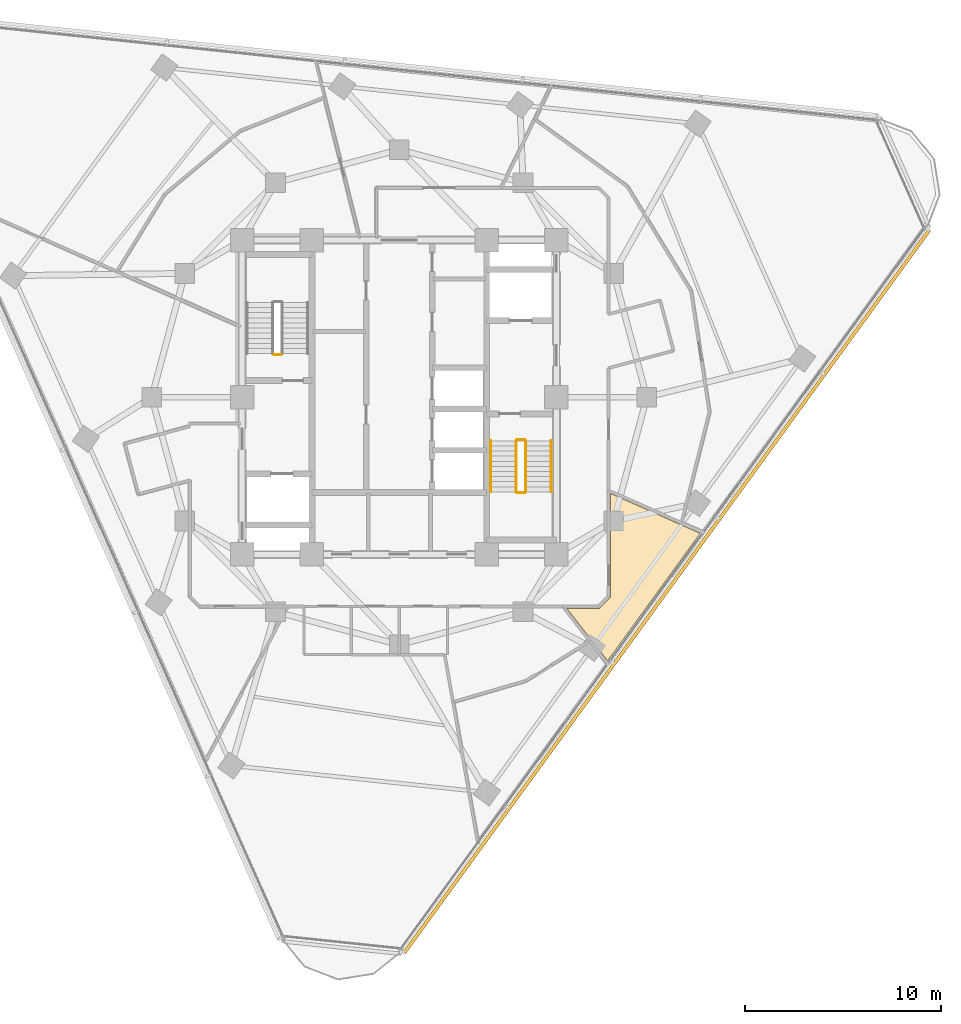
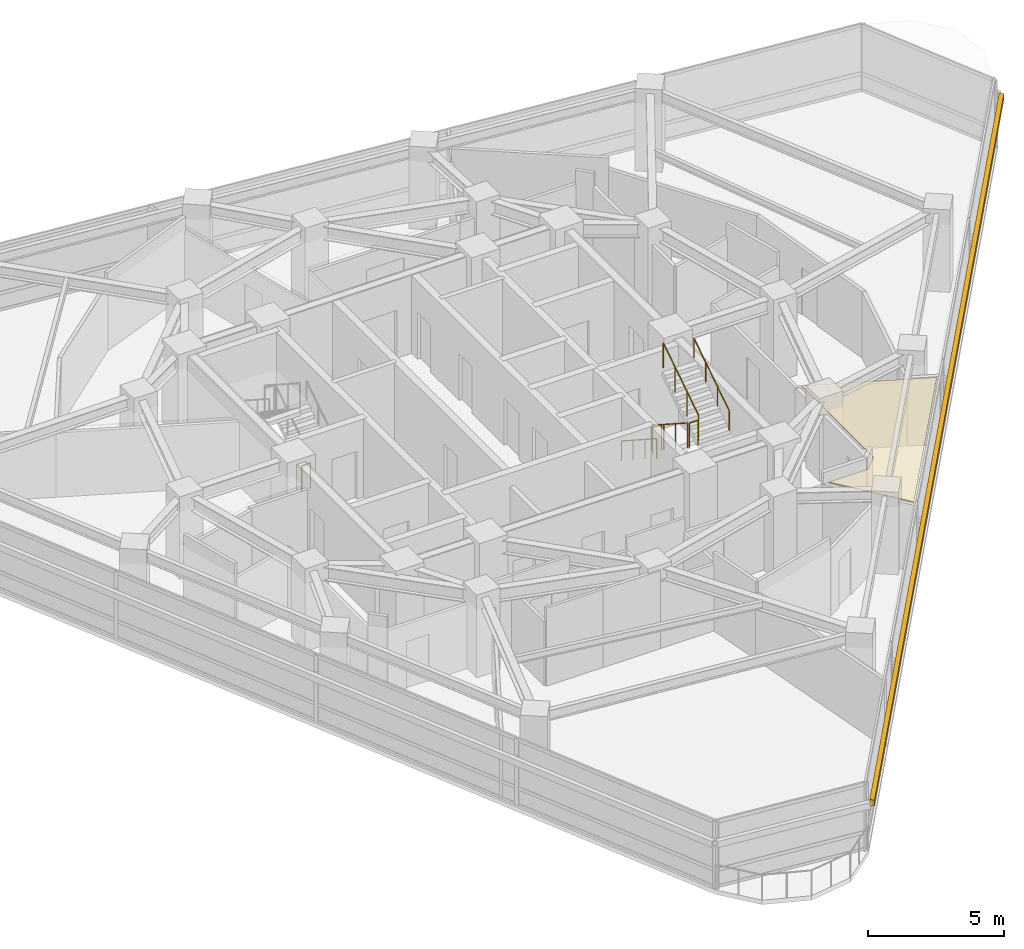
# One storey, part 13 of 15: 7 railings, 1 covering, 1 shading device.
"""IFC4 building model written with IfcOpenShell, lengths in metres."""

from ifc_helpers import new_model, si_unit, direction, frame, origin, origin_2d, place, context, subcontext, project, spatial, polyline, rectangle, circle, outline, extrude, material, layer, layer_set, type_object, element, save


model = new_model("IFC4")

# Units and contexts
model_context = context("Model", 3, precision=1e-05, world=origin(), true_north=direction((0.0, 1.0)))
body_context = subcontext(model_context, "Body", "Model", "MODEL_VIEW")
ifc_project = project(units=[si_unit("LENGTHUNIT", "METRE"), si_unit("AREAUNIT", "SQUARE_METRE"), si_unit("VOLUMEUNIT", "CUBIC_METRE"), si_unit("PLANEANGLEUNIT", "RADIAN"), si_unit("MASSUNIT", "GRAM", prefix="KILO")], contexts=[model_context])

# Site, building, storey
site_placement = place(None, origin())
site = spatial("IfcSite", under=ifc_project, at=site_placement, CompositionType="ELEMENT")
building_placement = place(site_placement, origin())
building = spatial("IfcBuilding", under=site, at=building_placement, Name="Terralouvre Media Tower", CompositionType="ELEMENT")
storey_placement = place(building_placement, frame((0.0, 0.0, 237.39990234375)))
storey = spatial("IfcBuildingStorey", under=building, at=storey_placement, Name="L61", CompositionType="ELEMENT", Elevation=237.39990234375)

# Covering
ifc_material_1 = material(Name="Perforated aluminium acoustic ceiling baffle", Category="aluminium")
ifc_layer_1 = layer(ifc_material_1, 0.0400390625, Name="Perforated Acoustic Metal Tile Ceiling CL-AC1")
ifc_layer_set_1 = layer_set([ifc_layer_1], Name="Perforated aluminium acoustic ceiling baffle")
covering_type = type_object("IfcCoveringType", Name="Perforated Acoustic Metal Tile Ceiling CL-AC1", PredefinedType="CEILING", material=ifc_layer_set_1)
covering_placement = place(storey_placement, frame((0.0, 0.0, 2.97998046875), z_axis=(0.0, 0.0, 1.0), x_axis=(0.587785252292, 0.809016994375, 0.0)))
element("IfcCovering", 1, at=covering_placement, inside=storey, type_object=covering_type, Name="L61 OSINT Verification Control Room 6 Acoustic Ceiling", PredefinedType="CEILING", context=body_context, shape_type="SweptSolid", body=[
    extrude(outline(polyline([(2.357666015625, -11.57470703125), (-1.892822265625, -14.662841796875), (-1.901123046875, -14.668212890625), (-1.90966796875, -14.6728515625), (-1.918701171875, -14.676513671875), (-1.92822265625, -14.67919921875), (-1.93798828125, -14.68115234375), (-1.94775390625, -14.681884765625), (-1.95751953125, -14.681884765625), (-1.96728515625, -14.680908203125), (-2.665771484375, -14.570068359375), (-2.67529296875, -14.568115234375), (-2.6845703125, -14.565185546875), (-2.693603515625, -14.561279296875), (-2.7021484375, -14.556640625), (-2.71044921875, -14.55126953125), (-2.718017578125, -14.544921875), (-2.724853515625, -14.537841796875), (-2.73095703125, -14.5302734375), (-3.685546875, -13.21630859375), (-4.245361328125, -15.166748046875), (-4.6171875, -16.46435546875), (3.397705078125, -16.46484375), (3.1708984375, -15.399658203125), (2.357666015625, -11.57470703125)])), origin(), (0.0, 0.0, 1.0), 0.0400390625),
])

# Railings
ifc_material_2 = material(Name="Stainless steel 316 handrail and balustrade", Category="steel")
ifc_layer_2 = layer(ifc_material_2, 0.050048828125, Name="Stair Flight Wall Handrail HR-INT1")
ifc_layer_set_2 = layer_set([ifc_layer_2], Name="Stainless steel 316 handrail and balustrade")
railing_type_1 = type_object("IfcRailingType", Name="Stair Flight Wall Handrail HR-INT1", PredefinedType="HANDRAIL", material=ifc_layer_set_2)
railing_1_placement = place(storey_placement, frame((4.64990234375, -2.219970703125, 0.168212890625)))
element("IfcRailing", 2, at=railing_1_placement, inside=storey, type_object=railing_type_1, Name="L61 ST-02 stair handrail 1", PredefinedType="HANDRAIL", context=body_context, shape_type="SweptSolid", body=[
    extrude(circle(Radius=0.02392578125, at=origin_2d()), frame((0.0, 0.0, 0.8759765625), z_axis=(0.0, -0.839648411786, 0.543130320075), x_axis=(1.0, 0.0, 0.0)), (0.0, 0.0, 1.0), 3.0966796875),
    extrude(circle(Radius=0.02099609375, at=origin_2d()), origin(), (0.0, 0.0, 1.0), 0.851806640625),
    extrude(circle(Radius=0.02099609375, at=origin_2d()), frame((0.0, -0.86669921875, 0.560546875)), (0.0, 0.0, 1.0), 0.851806640625),
    extrude(circle(Radius=0.02099609375, at=origin_2d()), frame((0.0, -1.7333984375, 1.121337890625)), (0.0, 0.0, 1.0), 0.851806640625),
    extrude(circle(Radius=0.02099609375, at=origin_2d()), frame((0.0, -2.60009765625, 1.681884765625)), (0.0, 0.0, 1.0), 0.851806640625),
])
railing_2_placement = place(storey_placement, frame((7.72998046875, -4.820068359375, 2.018310546875)))
element("IfcRailing", 3, at=railing_2_placement, inside=storey, type_object=railing_type_1, Name="L61 ST-02 stair handrail 2", PredefinedType="HANDRAIL", context=body_context, shape_type="SweptSolid", body=[
    extrude(circle(Radius=0.02392578125, at=origin_2d()), frame((0.0, 0.0, 0.8759765625), z_axis=(0.0, 0.839648411786, 0.543130320075), x_axis=(-1.0, 0.0, 0.0)), (0.0, 0.0, 1.0), 3.0966796875),
    extrude(circle(Radius=0.02099609375, at=origin_2d()), origin(), (0.0, 0.0, 1.0), 0.851806640625),
    extrude(circle(Radius=0.02099609375, at=origin_2d()), frame((0.0, 0.86669921875, 0.560546875)), (0.0, 0.0, 1.0), 0.851806640625),
    extrude(circle(Radius=0.02099609375, at=origin_2d()), frame((0.0, 1.7333984375, 1.121337890625)), (0.0, 0.0, 1.0), 0.851806640625),
    extrude(circle(Radius=0.02099609375, at=origin_2d()), frame((0.0, 2.60009765625, 1.681884765625)), (0.0, 0.0, 1.0), 0.851806640625),
])
ifc_material_3 = material(Name="Stainless steel 316 handrail and balustrade", Category="steel")
ifc_layer_3 = layer(ifc_material_3, 0.050048828125, Name="Stairwell Safety Guardrail GR-INT1")
ifc_layer_set_3 = layer_set([ifc_layer_3], Name="Stainless steel 316 handrail and balustrade")
railing_type_2 = type_object("IfcRailingType", Name="Stairwell Safety Guardrail GR-INT1", PredefinedType="GUARDRAIL", material=ifc_layer_set_3)
railing_3_placement = place(storey_placement, frame((-6.0, 2.169921875, 0.0)))
element("IfcRailing", 4, at=railing_3_placement, inside=storey, type_object=railing_type_2, Name="L61 ST-01 stair guard 4", PredefinedType="GUARDRAIL", context=body_context, shape_type="SweptSolid", body=[
    extrude(circle(Radius=0.02392578125, at=origin_2d()), frame((0.0, 0.0, 1.1259765625), z_axis=(-1.0, 0.0, 0.0), x_axis=(0.0, -1.0, 0.0)), (0.0, 0.0, 1.0), 0.3798828125),
    extrude(circle(Radius=0.02099609375, at=origin_2d()), origin(), (0.0, 0.0, 1.0), 1.101806640625),
    extrude(circle(Radius=0.02099609375, at=origin_2d()), frame((-0.3798828125, 0.0, 0.0)), (0.0, 0.0, 1.0), 1.101806640625),
])
railing_4_placement = place(storey_placement, frame((5.949951171875, -2.219970703125, 0.168212890625)))
element("IfcRailing", 5, at=railing_4_placement, inside=storey, type_object=railing_type_2, Name="L61 ST-02 stair guard 1", PredefinedType="GUARDRAIL", context=body_context, shape_type="SweptSolid", body=[
    extrude(circle(Radius=0.02392578125, at=origin_2d()), frame((0.0, 0.0, 1.1259765625), z_axis=(0.0, -0.839648411786, 0.543130320075), x_axis=(1.0, 0.0, 0.0)), (0.0, 0.0, 1.0), 3.0966796875),
    extrude(circle(Radius=0.02099609375, at=origin_2d()), origin(), (0.0, 0.0, 1.0), 1.101806640625),
    extrude(circle(Radius=0.02099609375, at=origin_2d()), frame((0.0, -0.86669921875, 0.560546875)), (0.0, 0.0, 1.0), 1.101806640625),
    extrude(circle(Radius=0.02099609375, at=origin_2d()), frame((0.0, -1.7333984375, 1.121337890625)), (0.0, 0.0, 1.0), 1.101806640625),
    extrude(circle(Radius=0.02099609375, at=origin_2d()), frame((0.0, -2.60009765625, 1.681884765625)), (0.0, 0.0, 1.0), 1.101806640625),
])
railing_5_placement = place(storey_placement, frame((6.0, -4.8701171875, 1.85009765625)))
element("IfcRailing", 6, at=railing_5_placement, inside=storey, type_object=railing_type_2, Name="L61 ST-02 stair guard 2", PredefinedType="GUARDRAIL", context=body_context, shape_type="SweptSolid", body=[
    extrude(circle(Radius=0.02392578125, at=origin_2d()), frame((0.0, 0.0, 1.1259765625), z_axis=(1.0, 0.0, 0.0), x_axis=(0.0, 1.0, 0.0)), (0.0, 0.0, 1.0), 0.3798828125),
    extrude(circle(Radius=0.02099609375, at=origin_2d()), origin(), (0.0, 0.0, 1.0), 1.101806640625),
    extrude(circle(Radius=0.02099609375, at=origin_2d()), frame((0.3798828125, 0.0, 0.0)), (0.0, 0.0, 1.0), 1.101806640625),
])
railing_6_placement = place(storey_placement, frame((6.429931640625, -4.820068359375, 2.018310546875)))
element("IfcRailing", 7, at=railing_6_placement, inside=storey, type_object=railing_type_2, Name="L61 ST-02 stair guard 3", PredefinedType="GUARDRAIL", context=body_context, shape_type="SweptSolid", body=[
    extrude(circle(Radius=0.02392578125, at=origin_2d()), frame((0.0, 0.0, 1.1259765625), z_axis=(0.0, 0.839648411786, 0.543130320075), x_axis=(-1.0, 0.0, 0.0)), (0.0, 0.0, 1.0), 3.0966796875),
    extrude(circle(Radius=0.02099609375, at=origin_2d()), origin(), (0.0, 0.0, 1.0), 1.101806640625),
    extrude(circle(Radius=0.02099609375, at=origin_2d()), frame((0.0, 0.86669921875, 0.560546875)), (0.0, 0.0, 1.0), 1.101806640625),
    extrude(circle(Radius=0.02099609375, at=origin_2d()), frame((0.0, 1.7333984375, 1.121337890625)), (0.0, 0.0, 1.0), 1.101806640625),
    extrude(circle(Radius=0.02099609375, at=origin_2d()), frame((0.0, 2.60009765625, 1.681884765625)), (0.0, 0.0, 1.0), 1.101806640625),
])
railing_7_placement = place(storey_placement, frame((6.0, -2.169921875, 0.0)))
element("IfcRailing", 8, at=railing_7_placement, inside=storey, type_object=railing_type_2, Name="L61 ST-02 stair guard 4", PredefinedType="GUARDRAIL", context=body_context, shape_type="SweptSolid", body=[
    extrude(circle(Radius=0.02392578125, at=origin_2d()), frame((0.0, 0.0, 1.1259765625), z_axis=(1.0, 0.0, 0.0), x_axis=(0.0, 1.0, 0.0)), (0.0, 0.0, 1.0), 0.3798828125),
    extrude(circle(Radius=0.02099609375, at=origin_2d()), origin(), (0.0, 0.0, 1.0), 1.101806640625),
    extrude(circle(Radius=0.02099609375, at=origin_2d()), frame((0.3798828125, 0.0, 0.0)), (0.0, 0.0, 1.0), 1.101806640625),
])

# Shading device
ifc_material_4 = material(Name="Extruded terracotta baguette sunshade louvres", Category="masonry")
shading_device_type = type_object("IfcShadingDeviceType", Name="Terracotta Baguette Sunshade Louvre Screen TB-LV1", PredefinedType="USERDEFINED", material=ifc_material_4)
shading_device_placement = place(storey_placement, frame((13.611572265625, -9.889404296875, 2.02392578125), z_axis=(0.0, 0.0, 1.0), x_axis=(0.587785300879, 0.809016959074, 0.0)))
element("IfcShadingDevice", 9, at=shading_device_placement, inside=storey, type_object=shading_device_type, Name="CW-L61-F0 Terracotta Baguette Sunshade Louvre", ObjectType="BAGUETTE", PredefinedType="USERDEFINED", context=body_context, shape_type="SweptSolid", body=[
    extrude(rectangle(XDim=45.5, YDim=0.179931640625, at=origin_2d()), origin(), (0.0, 0.0, 1.0), 0.280029296875),
])

save(model, "model.ifc")
